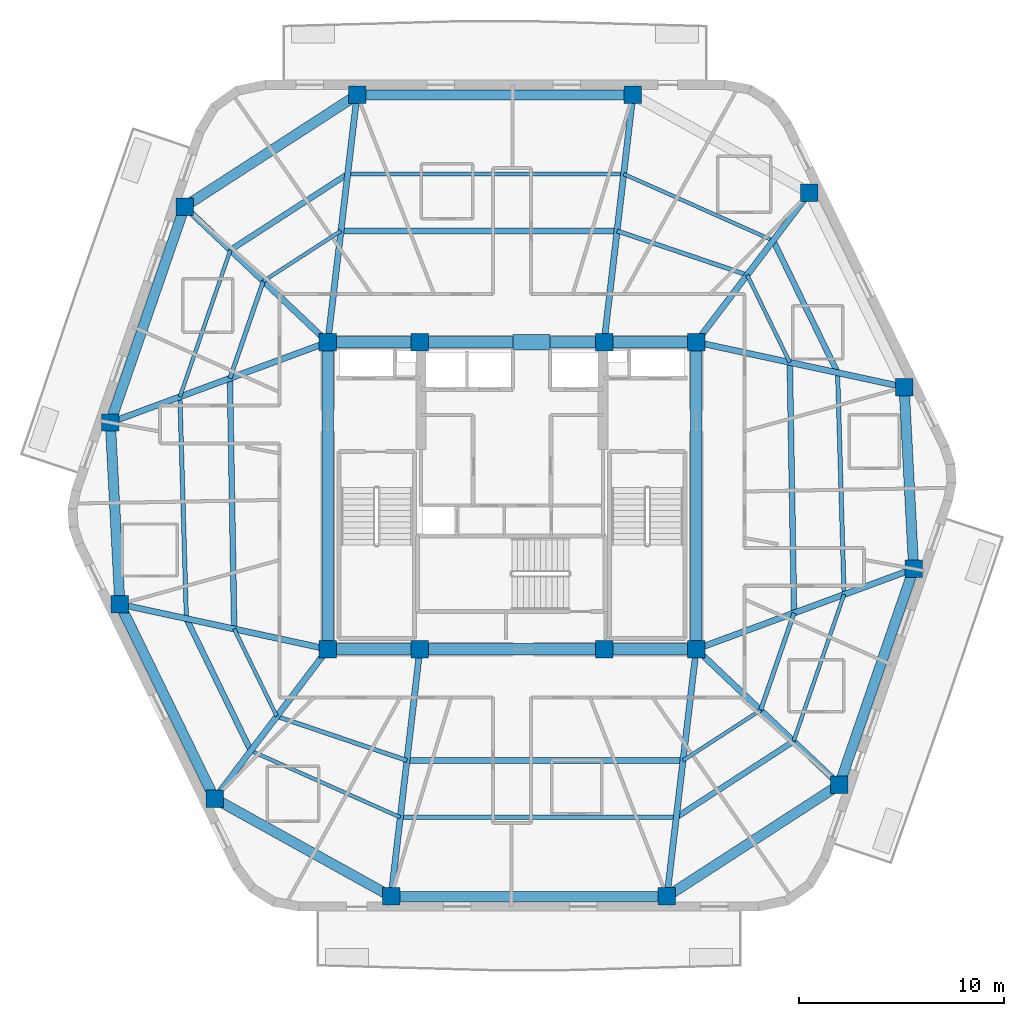
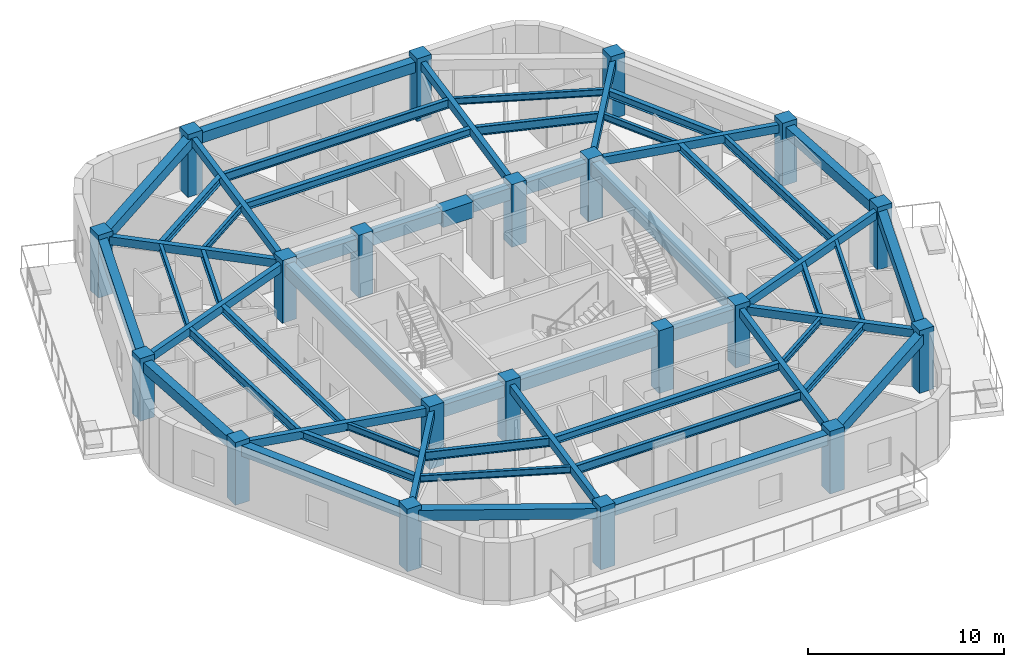
# One storey, part 1 of 9: 55 beams, 20 columns.
"""IFC4 building model written with IfcOpenShell, lengths in metres."""

from ifc_helpers import new_model, si_unit, direction, frame, origin, origin_2d, place, context, subcontext, project, spatial, rectangle, i_section, extrude, material, material_profile, profile_set, type_object, element, save


model = new_model("IFC4")

# Units and contexts
model_context = context("Model", 3, precision=1e-05, world=origin(), true_north=direction((0.0, 1.0)))
body_context = subcontext(model_context, "Body", "Model", "MODEL_VIEW")
ifc_project = project(units=[si_unit("LENGTHUNIT", "METRE"), si_unit("AREAUNIT", "SQUARE_METRE"), si_unit("VOLUMEUNIT", "CUBIC_METRE"), si_unit("PLANEANGLEUNIT", "RADIAN"), si_unit("MASSUNIT", "GRAM", prefix="KILO")], contexts=[model_context])

# Site, building, storey
site_placement = place(None, origin())
site = spatial("IfcSite", under=ifc_project, at=site_placement, CompositionType="ELEMENT")
building_placement = place(site_placement, origin())
building = spatial("IfcBuilding", under=site, at=building_placement, Name="Kilnhurst Terrace Hotel", CompositionType="ELEMENT")
storey_placement = place(building_placement, frame((0.0, 0.0, 269.10009765625)))
storey = spatial("IfcBuildingStorey", under=building, at=storey_placement, Name="L67", CompositionType="ELEMENT", Elevation=269.10009765625)

# Columns
ifc_material_1 = material(Name="Concrete C60/75", Category="concrete")
ifc_material_profile_1 = material_profile(ifc_material_1, rectangle(XDim=0.85009765625, YDim=0.85009765625, at=origin_2d()), Name="RC850X850")
ifc_profile_set_1 = profile_set([ifc_material_profile_1], Name="Concrete C60/75")
column_type = type_object("IfcColumnType", Name="COL-RC-850", PredefinedType="COLUMN", material=ifc_profile_set_1)
for number, where, z_axis, x_axis, name in (
    (1, (-9.0, -7.5, 0.0), (0.0, 0.0, 1.0), (1.0, 0.0, 0.0), "L67 Structural Column CC-SW"),
    (2, (-4.5, -7.5, 0.0), (0.0, 0.0, 1.0), (1.0, 0.0, 0.0), "L67 Structural Column CC-SC1"),
    (3, (4.5, -7.5, 0.0), (0.0, 0.0, 1.0), (1.0, 0.0, 0.0), "L67 Structural Column CC-SC2"),
    (4, (9.0, -7.5, 0.0), (0.0, 0.0, 1.0), (1.0, 0.0, 0.0), "L67 Structural Column CC-SE"),
    (5, (9.0, 7.5, 0.0), (0.0, 0.0, 1.0), (1.0, 0.0, 0.0), "L67 Structural Column CC-NE"),
    (6, (4.5, 7.5, 0.0), (0.0, 0.0, 1.0), (1.0, 0.0, 0.0), "L67 Structural Column CC-NC2"),
    (7, (-4.5, 7.5, 0.0), (0.0, 0.0, 1.0), (1.0, 0.0, 0.0), "L67 Structural Column CC-NC1"),
    (8, (-9.0, 7.5, 0.0), (0.0, 0.0, 1.0), (1.0, 0.0, 0.0), "L67 Structural Column CC-NW"),
    (9, (-5.907958984375, -19.580078125, 0.0), (0.0, 0.0, 1.0), (1.0, 0.0, 0.0), "L67 Structural Column PC-F11"),
    (10, (7.569091796875, -19.580078125, 0.0), (0.0, 0.0, 1.0), (1.0, 0.0, 0.0), "L67 Structural Column PC-F12"),
    (11, (15.9951171875, -14.12109375, 0.0), (0.0, 0.0, 1.0), (1.0, 0.0, 0.0), "L67 Structural Column PC-F21"),
    (12, (19.6240234375, -3.573974609375, 0.0), (0.0, 0.0, 1.0), (1.0, 0.0, 0.0), "L67 Structural Column PC-F22"),
    (13, (19.157958984375, 5.304931640625, 0.0), (0.0, 0.0, 1.0), (1.0, 0.0, 0.0), "L67 Structural Column PC-F31"),
    (14, (14.531005859375, 14.798095703125, 0.0), (0.0, 0.0, 1.0), (1.0, 0.0, 0.0), "L67 Structural Column PC-F32"),
    (15, (5.907958984375, 19.580078125, 0.0), (0.0, 0.0, 1.0), (1.0, 0.0, 0.0), "L67 Structural Column PC-F41"),
    (16, (-7.569091796875, 19.580078125, 0.0), (0.0, 0.0, 1.0), (1.0, 0.0, 0.0), "L67 Structural Column PC-F42"),
    (17, (-15.9951171875, 14.12109375, 0.0), (0.0, 0.0, 1.0), (1.0, 0.0, 0.0), "L67 Structural Column PC-F51"),
    (18, (-19.6240234375, 3.573974609375, 0.0), (0.0, 0.0, 1.0), (1.0, 0.0, 0.0), "L67 Structural Column PC-F52"),
    (19, (-19.157958984375, -5.304931640625, 0.0), (0.0, 0.0, 1.0), (1.0, 0.0, 0.0), "L67 Structural Column PC-F61"),
    (20, (-14.531005859375, -14.798095703125, 0.0), (0.0, 0.0, 1.0), (1.0, 0.0, 0.0), "L67 Structural Column PC-F62"),
):
    element("IfcColumn", number, at=place(storey_placement, frame(where, z_axis=z_axis, x_axis=x_axis)), inside=storey, type_object=column_type, Name=name, PredefinedType="COLUMN", context=body_context, shape_type="SweptSolid", body=[
        extrude(rectangle(XDim=0.85009765625, YDim=0.85009765625, at=origin_2d()), origin(), (0.0, 0.0, 1.0), 3.89990234375),
    ])

# Beams
ifc_material_2 = material(Name="Concrete C50/60", Category="concrete")
ifc_material_profile_2 = material_profile(ifc_material_2, rectangle(XDim=0.300048828125, YDim=0.5, at=origin_2d()), Name="RC300X500")
ifc_profile_set_2 = profile_set([ifc_material_profile_2], Name="Concrete C50/60")
beam_type_1 = type_object("IfcBeamType", Name="BM-RAD-300X500", PredefinedType="BEAM", material=ifc_profile_set_2)
beam_1_placement = place(storey_placement, frame((-4.5, -7.5, 3.349853515625), z_axis=(-0.115768472001, -0.993276225876, 0.0), x_axis=(0.993276225876, -0.115768472001, 0.0)))
element("IfcBeam", 21, at=beam_1_placement, inside=storey, type_object=beam_type_1, Name="L67 Radial Floor Beam 1", PredefinedType="BEAM", context=body_context, shape_type="SweptSolid", body=[
    extrude(rectangle(XDim=0.300048828125, YDim=0.5, at=origin_2d()), origin(), (0.0, 0.0, 1.0), 12.161865234375),
])
beam_2_placement = place(storey_placement, frame((9.0, -7.5, 3.349853515625), z_axis=(-0.117629552811, -0.993057545314, 0.0), x_axis=(0.993057545314, -0.117629552811, 0.0)))
element("IfcBeam", 22, at=beam_2_placement, inside=storey, type_object=beam_type_1, Name="L67 Radial Floor Beam 2", PredefinedType="BEAM", context=body_context, shape_type="SweptSolid", body=[
    extrude(rectangle(XDim=0.300048828125, YDim=0.5, at=origin_2d()), origin(), (0.0, 0.0, 1.0), 12.16455078125),
])
beam_3_placement = place(storey_placement, frame((9.0, -7.5, 3.349853515625), z_axis=(0.726256338973, -0.687423981326, 0.0), x_axis=(0.687423981326, 0.726256338973, 0.0)))
element("IfcBeam", 23, at=beam_3_placement, inside=storey, type_object=beam_type_1, Name="L67 Radial Floor Beam 3", PredefinedType="BEAM", context=body_context, shape_type="SweptSolid", body=[
    extrude(rectangle(XDim=0.300048828125, YDim=0.5, at=origin_2d()), origin(), (0.0, 0.0, 1.0), 9.6318359375),
])
beam_4_placement = place(storey_placement, frame((9.0, -7.5, 3.349853515625), z_axis=(0.938001507479, 0.3466311757, 0.0), x_axis=(-0.3466311757, 0.938001507479, 0.0)))
element("IfcBeam", 24, at=beam_4_placement, inside=storey, type_object=beam_type_1, Name="L67 Radial Floor Beam 4", PredefinedType="BEAM", context=body_context, shape_type="SweptSolid", body=[
    extrude(rectangle(XDim=0.300048828125, YDim=0.5, at=origin_2d()), origin(), (0.0, 0.0, 1.0), 11.326171875),
])
beam_5_placement = place(storey_placement, frame((9.0, 7.5, 3.349853515625), z_axis=(0.977438945995, -0.211218149913, 0.0), x_axis=(0.211218149913, 0.977438945995, 0.0)))
element("IfcBeam", 25, at=beam_5_placement, inside=storey, type_object=beam_type_1, Name="L67 Radial Floor Beam 5", PredefinedType="BEAM", context=body_context, shape_type="SweptSolid", body=[
    extrude(rectangle(XDim=0.300048828125, YDim=0.5, at=origin_2d()), origin(), (0.0, 0.0, 1.0), 10.392333984375),
])
beam_6_placement = place(storey_placement, frame((9.0, 7.5, 3.349853515625), z_axis=(0.604006537698, 0.79697936135, 0.0), x_axis=(-0.79697936135, 0.604006537698, 0.0)))
element("IfcBeam", 26, at=beam_6_placement, inside=storey, type_object=beam_type_1, Name="L67 Radial Floor Beam 6", PredefinedType="BEAM", context=body_context, shape_type="SweptSolid", body=[
    extrude(rectangle(XDim=0.300048828125, YDim=0.5, at=origin_2d()), origin(), (0.0, 0.0, 1.0), 9.1572265625),
])
beam_7_placement = place(storey_placement, frame((4.5, 7.5, 3.349853515625), z_axis=(0.115768472001, 0.993276225876, 0.0), x_axis=(-0.993276225876, 0.115768472001, 0.0)))
element("IfcBeam", 27, at=beam_7_placement, inside=storey, type_object=beam_type_1, Name="L67 Radial Floor Beam 7", PredefinedType="BEAM", context=body_context, shape_type="SweptSolid", body=[
    extrude(rectangle(XDim=0.300048828125, YDim=0.5, at=origin_2d()), origin(), (0.0, 0.0, 1.0), 12.161865234375),
])
beam_8_placement = place(storey_placement, frame((-9.0, 7.5, 3.349853515625), z_axis=(0.117629552811, 0.993057545314, 0.0), x_axis=(-0.993057545314, 0.117629552811, 0.0)))
element("IfcBeam", 28, at=beam_8_placement, inside=storey, type_object=beam_type_1, Name="L67 Radial Floor Beam 8", PredefinedType="BEAM", context=body_context, shape_type="SweptSolid", body=[
    extrude(rectangle(XDim=0.300048828125, YDim=0.5, at=origin_2d()), origin(), (0.0, 0.0, 1.0), 12.16455078125),
])
beam_9_placement = place(storey_placement, frame((-9.0, 7.5, 3.349853515625), z_axis=(-0.726256338973, 0.687423981326, 0.0), x_axis=(-0.687423981326, -0.726256338973, 0.0)))
element("IfcBeam", 29, at=beam_9_placement, inside=storey, type_object=beam_type_1, Name="L67 Radial Floor Beam 9", PredefinedType="BEAM", context=body_context, shape_type="SweptSolid", body=[
    extrude(rectangle(XDim=0.300048828125, YDim=0.5, at=origin_2d()), origin(), (0.0, 0.0, 1.0), 9.6318359375),
])
beam_10_placement = place(storey_placement, frame((-9.0, 7.5, 3.349853515625), z_axis=(-0.938001507479, -0.3466311757, 0.0), x_axis=(0.3466311757, -0.938001507479, 0.0)))
element("IfcBeam", 30, at=beam_10_placement, inside=storey, type_object=beam_type_1, Name="L67 Radial Floor Beam 10", PredefinedType="BEAM", context=body_context, shape_type="SweptSolid", body=[
    extrude(rectangle(XDim=0.300048828125, YDim=0.5, at=origin_2d()), origin(), (0.0, 0.0, 1.0), 11.326171875),
])
beam_11_placement = place(storey_placement, frame((-9.0, -7.5, 3.349853515625), z_axis=(-0.977438945995, 0.211218149913, 0.0), x_axis=(-0.211218149913, -0.977438945995, 0.0)))
element("IfcBeam", 31, at=beam_11_placement, inside=storey, type_object=beam_type_1, Name="L67 Radial Floor Beam 11", PredefinedType="BEAM", context=body_context, shape_type="SweptSolid", body=[
    extrude(rectangle(XDim=0.300048828125, YDim=0.5, at=origin_2d()), origin(), (0.0, 0.0, 1.0), 10.392333984375),
])
beam_12_placement = place(storey_placement, frame((-9.0, -7.5, 3.349853515625), z_axis=(-0.604006537698, -0.79697936135, 0.0), x_axis=(0.79697936135, -0.604006537698, 0.0)))
element("IfcBeam", 32, at=beam_12_placement, inside=storey, type_object=beam_type_1, Name="L67 Radial Floor Beam 12", PredefinedType="BEAM", context=body_context, shape_type="SweptSolid", body=[
    extrude(rectangle(XDim=0.300048828125, YDim=0.5, at=origin_2d()), origin(), (0.0, 0.0, 1.0), 9.1572265625),
])
ifc_material_profile_3 = material_profile(ifc_material_2, rectangle(XDim=0.5, YDim=0.64990234375, at=origin_2d()), Name="RC500X650")
ifc_profile_set_3 = profile_set([ifc_material_profile_3], Name="Concrete C50/60")
beam_type_2 = type_object("IfcBeamType", Name="BM-SPN-500X650", PredefinedType="SPANDREL", material=ifc_profile_set_3)
beam_13_placement = place(storey_placement, frame((-5.907958984375, -19.580078125, 3.27490234375), z_axis=(1.0, 0.0, 0.0), x_axis=(0.0, 1.0, 0.0)))
element("IfcBeam", 33, at=beam_13_placement, inside=storey, type_object=beam_type_2, Name="L67 Perimeter Spandrel Beam 1", PredefinedType="SPANDREL", context=body_context, shape_type="SweptSolid", body=[
    extrude(rectangle(XDim=0.5, YDim=0.64990234375, at=origin_2d()), origin(), (0.0, 0.0, 1.0), 13.47705078125),
])
beam_14_placement = place(storey_placement, frame((7.569091796875, -19.580078125, 3.27490234375), z_axis=(0.839258818809, 0.543732135386, 0.0), x_axis=(-0.543732135386, 0.839258818809, 0.0)))
element("IfcBeam", 34, at=beam_14_placement, inside=storey, type_object=beam_type_2, Name="L67 Perimeter Spandrel Beam 2", PredefinedType="SPANDREL", context=body_context, shape_type="SweptSolid", body=[
    extrude(rectangle(XDim=0.5, YDim=0.64990234375, at=origin_2d()), origin(), (0.0, 0.0, 1.0), 10.039794921875),
])
beam_15_placement = place(storey_placement, frame((15.9951171875, -14.12109375, 3.27490234375), z_axis=(0.325347079026, 0.945594669068, 0.0), x_axis=(-0.945594669068, 0.325347079026, 0.0)))
element("IfcBeam", 35, at=beam_15_placement, inside=storey, type_object=beam_type_2, Name="L67 Perimeter Spandrel Beam 3", PredefinedType="SPANDREL", context=body_context, shape_type="SweptSolid", body=[
    extrude(rectangle(XDim=0.5, YDim=0.64990234375, at=origin_2d()), origin(), (0.0, 0.0, 1.0), 11.154052734375),
])
beam_16_placement = place(storey_placement, frame((19.6240234375, -3.573974609375, 3.27490234375), z_axis=(-0.052419034962, 0.998625177318, 0.0), x_axis=(-0.998625177318, -0.052419034962, 0.0)))
element("IfcBeam", 36, at=beam_16_placement, inside=storey, type_object=beam_type_2, Name="L67 Perimeter Spandrel Beam 4", PredefinedType="SPANDREL", context=body_context, shape_type="SweptSolid", body=[
    extrude(rectangle(XDim=0.5, YDim=0.64990234375, at=origin_2d()), origin(), (0.0, 0.0, 1.0), 8.89111328125),
])
beam_17_placement = place(storey_placement, frame((5.907958984375, 19.580078125, 3.27490234375), z_axis=(-1.0, 0.0, 0.0), x_axis=(0.0, -1.0, 0.0)))
element("IfcBeam", 37, at=beam_17_placement, inside=storey, type_object=beam_type_2, Name="L67 Perimeter Spandrel Beam 7", PredefinedType="SPANDREL", context=body_context, shape_type="SweptSolid", body=[
    extrude(rectangle(XDim=0.5, YDim=0.64990234375, at=origin_2d()), origin(), (0.0, 0.0, 1.0), 13.47705078125),
])
beam_18_placement = place(storey_placement, frame((-7.569091796875, 19.580078125, 3.27490234375), z_axis=(-0.839258818809, -0.543732135386, 0.0), x_axis=(0.543732135386, -0.839258818809, 0.0)))
element("IfcBeam", 38, at=beam_18_placement, inside=storey, type_object=beam_type_2, Name="L67 Perimeter Spandrel Beam 8", PredefinedType="SPANDREL", context=body_context, shape_type="SweptSolid", body=[
    extrude(rectangle(XDim=0.5, YDim=0.64990234375, at=origin_2d()), origin(), (0.0, 0.0, 1.0), 10.039794921875),
])
beam_19_placement = place(storey_placement, frame((-15.9951171875, 14.12109375, 3.27490234375), z_axis=(-0.325347079026, -0.945594669068, 0.0), x_axis=(0.945594669068, -0.325347079026, 0.0)))
element("IfcBeam", 39, at=beam_19_placement, inside=storey, type_object=beam_type_2, Name="L67 Perimeter Spandrel Beam 9", PredefinedType="SPANDREL", context=body_context, shape_type="SweptSolid", body=[
    extrude(rectangle(XDim=0.5, YDim=0.64990234375, at=origin_2d()), origin(), (0.0, 0.0, 1.0), 11.154052734375),
])
beam_20_placement = place(storey_placement, frame((-19.6240234375, 3.573974609375, 3.27490234375), z_axis=(0.052419034962, -0.998625177318, 0.0), x_axis=(0.998625177318, 0.052419034962, 0.0)))
element("IfcBeam", 40, at=beam_20_placement, inside=storey, type_object=beam_type_2, Name="L67 Perimeter Spandrel Beam 10", PredefinedType="SPANDREL", context=body_context, shape_type="SweptSolid", body=[
    extrude(rectangle(XDim=0.5, YDim=0.64990234375, at=origin_2d()), origin(), (0.0, 0.0, 1.0), 8.89111328125),
])
beam_21_placement = place(storey_placement, frame((-19.157958984375, -5.304931640625, 3.27490234375), z_axis=(0.438128464895, -0.898912369616, 0.0), x_axis=(0.898912369616, 0.438128464895, 0.0)))
element("IfcBeam", 41, at=beam_21_placement, inside=storey, type_object=beam_type_2, Name="L67 Perimeter Spandrel Beam 11", PredefinedType="SPANDREL", context=body_context, shape_type="SweptSolid", body=[
    extrude(rectangle(XDim=0.5, YDim=0.64990234375, at=origin_2d()), origin(), (0.0, 0.0, 1.0), 10.560791015625),
])
beam_22_placement = place(storey_placement, frame((-14.531005859375, -14.798095703125, 3.27490234375), z_axis=(0.874527255888, -0.484976369227, 0.0), x_axis=(0.484976369227, 0.874527255888, 0.0)))
element("IfcBeam", 42, at=beam_22_placement, inside=storey, type_object=beam_type_2, Name="L67 Perimeter Spandrel Beam 12", PredefinedType="SPANDREL", context=body_context, shape_type="SweptSolid", body=[
    extrude(rectangle(XDim=0.5, YDim=0.64990234375, at=origin_2d()), origin(), (0.0, 0.0, 1.0), 9.8603515625),
])
ifc_material_profile_4 = material_profile(ifc_material_2, rectangle(XDim=0.550048828125, YDim=0.75, at=origin_2d()), Name="RC550X750")
ifc_profile_set_4 = profile_set([ifc_material_profile_4], Name="Concrete C50/60")
beam_type_3 = type_object("IfcBeamType", Name="BM-SPN-550X750", PredefinedType="SPANDREL", material=ifc_profile_set_4)
beam_23_placement = place(storey_placement, frame((-9.0, 7.5, 3.224853515625), z_axis=(1.0, 0.0, 0.0), x_axis=(0.0, 1.0, 0.0)))
element("IfcBeam", 43, at=beam_23_placement, inside=storey, type_object=beam_type_3, Name="L67 Core Tie Beam CC-NW to CC-NC1", PredefinedType="SPANDREL", context=body_context, shape_type="SweptSolid", body=[
    extrude(rectangle(XDim=0.550048828125, YDim=0.75, at=origin_2d()), origin(), (0.0, 0.0, 1.0), 4.5),
])
beam_24_placement = place(storey_placement, frame((-4.5, 7.5, 3.224853515625), z_axis=(1.0, 0.0, 0.0), x_axis=(0.0, 1.0, 0.0)))
element("IfcBeam", 44, at=beam_24_placement, inside=storey, type_object=beam_type_3, Name="L67 Core Tie Beam CC-NC1 to CC-NC2", PredefinedType="SPANDREL", context=body_context, shape_type="SweptSolid", body=[
    extrude(rectangle(XDim=0.550048828125, YDim=0.75, at=origin_2d()), origin(), (0.0, 0.0, 1.0), 9.0),
])
for number, where, z_axis, x_axis, name in (
    (45, (4.5, 7.5, 3.224853515625), (1.0, 0.0, 0.0), (0.0, 1.0, 0.0), "L67 Core Tie Beam CC-NC2 to CC-NE"),
    (46, (-9.0, -7.5, 3.224853515625), (1.0, 0.0, 0.0), (0.0, 1.0, 0.0), "L67 Core Tie Beam CC-SW to CC-SC1"),
):
    element("IfcBeam", number, at=place(storey_placement, frame(where, z_axis=z_axis, x_axis=x_axis)), inside=storey, type_object=beam_type_3, Name=name, PredefinedType="SPANDREL", context=body_context, shape_type="SweptSolid", body=[
        extrude(rectangle(XDim=0.550048828125, YDim=0.75, at=origin_2d()), origin(), (0.0, 0.0, 1.0), 4.5),
    ])
beam_25_placement = place(storey_placement, frame((-4.5, -7.5, 3.224853515625), z_axis=(1.0, 0.0, 0.0), x_axis=(0.0, 1.0, 0.0)))
element("IfcBeam", 47, at=beam_25_placement, inside=storey, type_object=beam_type_3, Name="L67 Core Tie Beam CC-SC1 to CC-SC2", PredefinedType="SPANDREL", context=body_context, shape_type="SweptSolid", body=[
    extrude(rectangle(XDim=0.550048828125, YDim=0.75, at=origin_2d()), origin(), (0.0, 0.0, 1.0), 9.0),
])
beam_26_placement = place(storey_placement, frame((4.5, -7.5, 3.224853515625), z_axis=(1.0, 0.0, 0.0), x_axis=(0.0, 1.0, 0.0)))
element("IfcBeam", 48, at=beam_26_placement, inside=storey, type_object=beam_type_3, Name="L67 Core Tie Beam CC-SC2 to CC-SE", PredefinedType="SPANDREL", context=body_context, shape_type="SweptSolid", body=[
    extrude(rectangle(XDim=0.550048828125, YDim=0.75, at=origin_2d()), origin(), (0.0, 0.0, 1.0), 4.5),
])
for number, where, z_axis, x_axis, name in (
    (49, (-9.0, -7.5, 3.224853515625), (0.0, 1.0, 0.0), (-1.0, 0.0, 0.0), "L67 Core Tie Beam CC-SW to CC-NW"),
    (50, (9.0, -7.5, 3.224853515625), (0.0, 1.0, 0.0), (-1.0, 0.0, 0.0), "L67 Core Tie Beam CC-SE to CC-NE"),
):
    element("IfcBeam", number, at=place(storey_placement, frame(where, z_axis=z_axis, x_axis=x_axis)), inside=storey, type_object=beam_type_3, Name=name, PredefinedType="SPANDREL", context=body_context, shape_type="SweptSolid", body=[
        extrude(rectangle(XDim=0.550048828125, YDim=0.75, at=origin_2d()), origin(), (0.0, 0.0, 1.0), 15.0),
    ])
ifc_material_3 = material(Name="Steel ASTM A992 Grade 50", Category="steel")
ifc_material_profile_5 = material_profile(ifc_material_3, i_section(OverallWidth=0.180908203125, OverallDepth=0.417236328125, WebThickness=0.010986328125, FlangeThickness=0.018310546875, at=origin_2d()), Name="W16X57")
ifc_profile_set_5 = profile_set([ifc_material_profile_5], Name="Steel ASTM A992 Grade 50")
beam_type_4 = type_object("IfcBeamType", Name="JST-STL-W16X57", PredefinedType="JOIST", material=ifc_profile_set_5)
beam_27_placement = place(storey_placement, frame((13.756591796875, -12.002197265625, 3.390869140625), z_axis=(0.325367628202, 0.945587598543, 0.0), x_axis=(-0.945587598543, 0.325367628202, 0.0)))
element("IfcBeam", 51, at=beam_27_placement, inside=storey, type_object=beam_type_4, Name="L67 Secondary Floor Steel Joist OUT.3", PredefinedType="JOIST", context=body_context, shape_type="SweptSolid", body=[
    extrude(i_section(OverallWidth=0.180908203125, OverallDepth=0.417236328125, WebThickness=0.010986328125, FlangeThickness=0.018310546875, at=origin_2d()), origin(), (0.0, 0.0, 1.0), 7.58447265625),
])
beam_28_placement = place(storey_placement, frame((12.760986328125, 12.462646484375, 3.390869140625), z_axis=(-0.913545640569, 0.406736232216, 0.0), x_axis=(-0.406736232216, -0.913545640569, 0.0)))
element("IfcBeam", 52, at=beam_28_placement, inside=storey, type_object=beam_type_4, Name="L67 Secondary Floor Steel Joist OUT.6", PredefinedType="JOIST", context=body_context, shape_type="SweptSolid", body=[
    extrude(i_section(OverallWidth=0.180908203125, OverallDepth=0.417236328125, WebThickness=0.010986328125, FlangeThickness=0.018310546875, at=origin_2d()), origin(), (0.0, 0.0, 1.0), 7.99462890625),
])
beam_29_placement = place(storey_placement, frame((-13.756591796875, 12.002197265625, 3.390869140625), z_axis=(-0.325367628202, -0.945587598543, 0.0), x_axis=(0.945587598543, -0.325367628202, 0.0)))
element("IfcBeam", 53, at=beam_29_placement, inside=storey, type_object=beam_type_4, Name="L67 Secondary Floor Steel Joist OUT.9", PredefinedType="JOIST", context=body_context, shape_type="SweptSolid", body=[
    extrude(i_section(OverallWidth=0.180908203125, OverallDepth=0.417236328125, WebThickness=0.010986328125, FlangeThickness=0.018310546875, at=origin_2d()), origin(), (0.0, 0.0, 1.0), 7.58447265625),
])
beam_30_placement = place(storey_placement, frame((-12.760986328125, -12.462646484375, 3.390869140625), z_axis=(0.913545640569, -0.406736232216, 0.0), x_axis=(0.406736232216, 0.913545640569, 0.0)))
element("IfcBeam", 54, at=beam_30_placement, inside=storey, type_object=beam_type_4, Name="L67 Secondary Floor Steel Joist OUT.12", PredefinedType="JOIST", context=body_context, shape_type="SweptSolid", body=[
    extrude(i_section(OverallWidth=0.180908203125, OverallDepth=0.417236328125, WebThickness=0.010986328125, FlangeThickness=0.018310546875, at=origin_2d()), origin(), (0.0, 0.0, 1.0), 7.99462890625),
])
beam_31_placement = place(storey_placement, frame((8.35595703125, -12.93603515625, 3.390869140625), z_axis=(0.839261215199, 0.543728436503, 0.0), x_axis=(-0.543728436503, 0.839261215199, 0.0)))
element("IfcBeam", 55, at=beam_31_placement, inside=storey, type_object=beam_type_4, Name="L67 Secondary Floor Steel Joist IN.2", PredefinedType="JOIST", context=body_context, shape_type="SweptSolid", body=[
    extrude(i_section(OverallWidth=0.180908203125, OverallDepth=0.417236328125, WebThickness=0.010986328125, FlangeThickness=0.018310546875, at=origin_2d()), origin(), (0.0, 0.0, 1.0), 4.51806640625),
])
beam_32_placement = place(storey_placement, frame((13.571044921875, 6.51220703125, 3.390869140625), z_axis=(-0.438107813647, 0.898922434708, 0.0), x_axis=(-0.898922434708, -0.438107813647, 0.0)))
element("IfcBeam", 56, at=beam_32_placement, inside=storey, type_object=beam_type_4, Name="L67 Secondary Floor Steel Joist IN.5", PredefinedType="JOIST", context=body_context, shape_type="SweptSolid", body=[
    extrude(i_section(OverallWidth=0.180908203125, OverallDepth=0.417236328125, WebThickness=0.010986328125, FlangeThickness=0.018310546875, at=origin_2d()), origin(), (0.0, 0.0, 1.0), 4.75244140625),
])
beam_33_placement = place(storey_placement, frame((-8.35595703125, 12.93603515625, 3.390869140625), z_axis=(-0.839261215199, -0.543728436503, 0.0), x_axis=(0.543728436503, -0.839261215199, 0.0)))
element("IfcBeam", 57, at=beam_33_placement, inside=storey, type_object=beam_type_4, Name="L67 Secondary Floor Steel Joist IN.8", PredefinedType="JOIST", context=body_context, shape_type="SweptSolid", body=[
    extrude(i_section(OverallWidth=0.180908203125, OverallDepth=0.417236328125, WebThickness=0.010986328125, FlangeThickness=0.018310546875, at=origin_2d()), origin(), (0.0, 0.0, 1.0), 4.51806640625),
])
beam_34_placement = place(storey_placement, frame((-13.571044921875, -6.51220703125, 3.390869140625), z_axis=(0.438107813647, -0.898922434708, 0.0), x_axis=(0.898922434708, 0.438107813647, 0.0)))
element("IfcBeam", 58, at=beam_34_placement, inside=storey, type_object=beam_type_4, Name="L67 Secondary Floor Steel Joist IN.11", PredefinedType="JOIST", context=body_context, shape_type="SweptSolid", body=[
    extrude(i_section(OverallWidth=0.180908203125, OverallDepth=0.417236328125, WebThickness=0.010986328125, FlangeThickness=0.018310546875, at=origin_2d()), origin(), (0.0, 0.0, 1.0), 4.75244140625),
])
ifc_material_profile_6 = material_profile(ifc_material_3, i_section(OverallWidth=0.279296875, OverallDepth=0.462890625, WebThickness=0.0107421875, FlangeThickness=0.017333984375, at=origin_2d()), Name="W18X76")
ifc_profile_set_6 = profile_set([ifc_material_profile_6], Name="Steel ASTM A992 Grade 50")
beam_type_5 = type_object("IfcBeamType", Name="JST-STL-W18X76", PredefinedType="JOIST", material=ifc_profile_set_6)
beam_35_placement = place(storey_placement, frame((8.02685546875, -15.71435546875, 3.367919921875), z_axis=(0.839257246669, 0.543734562001, 0.0), x_axis=(-0.543734562001, 0.839257246669, 0.0)))
element("IfcBeam", 59, at=beam_35_placement, inside=storey, type_object=beam_type_5, Name="L67 Secondary Floor Steel Joist OUT.2", PredefinedType="JOIST", context=body_context, shape_type="SweptSolid", body=[
    extrude(i_section(OverallWidth=0.279296875, OverallDepth=0.462890625, WebThickness=0.0107421875, FlangeThickness=0.017333984375, at=origin_2d()), origin(), (0.0, 0.0, 1.0), 6.8271484375),
])
beam_36_placement = place(storey_placement, frame((15.907470703125, 6.00732421875, 3.367919921875), z_axis=(-0.438147652742, 0.898903017237, 0.0), x_axis=(-0.898903017237, -0.438147652742, 0.0)))
element("IfcBeam", 60, at=beam_36_placement, inside=storey, type_object=beam_type_5, Name="L67 Secondary Floor Steel Joist OUT.5", PredefinedType="JOIST", context=body_context, shape_type="SweptSolid", body=[
    extrude(i_section(OverallWidth=0.279296875, OverallDepth=0.462890625, WebThickness=0.0107421875, FlangeThickness=0.017333984375, at=origin_2d()), origin(), (0.0, 0.0, 1.0), 7.181396484375),
])
beam_37_placement = place(storey_placement, frame((-8.02685546875, 15.71435546875, 3.367919921875), z_axis=(-0.839257246669, -0.543734562001, 0.0), x_axis=(0.543734562001, -0.839257246669, 0.0)))
element("IfcBeam", 61, at=beam_37_placement, inside=storey, type_object=beam_type_5, Name="L67 Secondary Floor Steel Joist OUT.8", PredefinedType="JOIST", context=body_context, shape_type="SweptSolid", body=[
    extrude(i_section(OverallWidth=0.279296875, OverallDepth=0.462890625, WebThickness=0.0107421875, FlangeThickness=0.017333984375, at=origin_2d()), origin(), (0.0, 0.0, 1.0), 6.8271484375),
])
beam_38_placement = place(storey_placement, frame((-15.907470703125, -6.00732421875, 3.367919921875), z_axis=(0.438147652742, -0.898903017237, 0.0), x_axis=(0.898903017237, 0.438147652742, 0.0)))
element("IfcBeam", 62, at=beam_38_placement, inside=storey, type_object=beam_type_5, Name="L67 Secondary Floor Steel Joist OUT.11", PredefinedType="JOIST", context=body_context, shape_type="SweptSolid", body=[
    extrude(i_section(OverallWidth=0.279296875, OverallDepth=0.462890625, WebThickness=0.0107421875, FlangeThickness=0.017333984375, at=origin_2d()), origin(), (0.0, 0.0, 1.0), 7.181396484375),
])
beam_39_placement = place(storey_placement, frame((-5.133544921875, -12.93603515625, 3.367919921875), z_axis=(1.0, 0.0, 0.0), x_axis=(0.0, 1.0, 0.0)))
element("IfcBeam", 63, at=beam_39_placement, inside=storey, type_object=beam_type_5, Name="L67 Secondary Floor Steel Joist IN.1", PredefinedType="JOIST", context=body_context, shape_type="SweptSolid", body=[
    extrude(i_section(OverallWidth=0.279296875, OverallDepth=0.462890625, WebThickness=0.0107421875, FlangeThickness=0.017333984375, at=origin_2d()), origin(), (0.0, 0.0, 1.0), 13.489501953125),
])
beam_40_placement = place(storey_placement, frame((13.78076171875, -5.7333984375, 3.367919921875), z_axis=(-0.01712337129, 0.99985338433, 0.0), x_axis=(-0.99985338433, -0.01712337129, 0.0)))
element("IfcBeam", 64, at=beam_40_placement, inside=storey, type_object=beam_type_5, Name="L67 Secondary Floor Steel Joist IN.4", PredefinedType="JOIST", context=body_context, shape_type="SweptSolid", body=[
    extrude(i_section(OverallWidth=0.279296875, OverallDepth=0.462890625, WebThickness=0.0107421875, FlangeThickness=0.017333984375, at=origin_2d()), origin(), (0.0, 0.0, 1.0), 12.247314453125),
])
beam_41_placement = place(storey_placement, frame((5.133544921875, 12.93603515625, 3.367919921875), z_axis=(-1.0, 0.0, 0.0), x_axis=(0.0, -1.0, 0.0)))
element("IfcBeam", 65, at=beam_41_placement, inside=storey, type_object=beam_type_5, Name="L67 Secondary Floor Steel Joist IN.7", PredefinedType="JOIST", context=body_context, shape_type="SweptSolid", body=[
    extrude(i_section(OverallWidth=0.279296875, OverallDepth=0.462890625, WebThickness=0.0107421875, FlangeThickness=0.017333984375, at=origin_2d()), origin(), (0.0, 0.0, 1.0), 13.489501953125),
])
beam_42_placement = place(storey_placement, frame((-13.78076171875, 5.7333984375, 3.367919921875), z_axis=(0.01712337129, -0.99985338433, 0.0), x_axis=(0.99985338433, 0.01712337129, 0.0)))
element("IfcBeam", 66, at=beam_42_placement, inside=storey, type_object=beam_type_5, Name="L67 Secondary Floor Steel Joist IN.10", PredefinedType="JOIST", context=body_context, shape_type="SweptSolid", body=[
    extrude(i_section(OverallWidth=0.279296875, OverallDepth=0.462890625, WebThickness=0.0107421875, FlangeThickness=0.017333984375, at=origin_2d()), origin(), (0.0, 0.0, 1.0), 12.247314453125),
])
ifc_material_profile_7 = material_profile(ifc_material_3, i_section(OverallWidth=0.2138671875, OverallDepth=0.549072265625, WebThickness=0.0146484375, FlangeThickness=0.023681640625, at=origin_2d()), Name="W21X93")
ifc_profile_set_7 = profile_set([ifc_material_profile_7], Name="Steel ASTM A992 Grade 50")
beam_type_6 = type_object("IfcBeamType", Name="JST-STL-W21X93", PredefinedType="JOIST", material=ifc_profile_set_7)
beam_43_placement = place(storey_placement, frame((-5.45751953125, -15.71435546875, 3.324951171875), z_axis=(1.0, 0.0, 0.0), x_axis=(0.0, 1.0, 0.0)))
element("IfcBeam", 67, at=beam_43_placement, inside=storey, type_object=beam_type_6, Name="L67 Secondary Floor Steel Joist OUT.1", PredefinedType="JOIST", context=body_context, shape_type="SweptSolid", body=[
    extrude(i_section(OverallWidth=0.2138671875, OverallDepth=0.549072265625, WebThickness=0.0146484375, FlangeThickness=0.023681640625, at=origin_2d()), origin(), (0.0, 0.0, 1.0), 13.484375),
])
beam_44_placement = place(storey_placement, frame((16.224365234375, -4.830322265625, 3.324951171875), z_axis=(-0.029227669324, 0.999572780415, 0.0), x_axis=(-0.999572780415, -0.029227669324, 0.0)))
element("IfcBeam", 68, at=beam_44_placement, inside=storey, type_object=beam_type_6, Name="L67 Secondary Floor Steel Joist OUT.4", PredefinedType="JOIST", context=body_context, shape_type="SweptSolid", body=[
    extrude(i_section(OverallWidth=0.2138671875, OverallDepth=0.549072265625, WebThickness=0.0146484375, FlangeThickness=0.023681640625, at=origin_2d()), origin(), (0.0, 0.0, 1.0), 10.84228515625),
])
beam_45_placement = place(storey_placement, frame((5.45751953125, 15.71435546875, 3.324951171875), z_axis=(-1.0, 0.0, 0.0), x_axis=(0.0, -1.0, 0.0)))
element("IfcBeam", 69, at=beam_45_placement, inside=storey, type_object=beam_type_6, Name="L67 Secondary Floor Steel Joist OUT.7", PredefinedType="JOIST", context=body_context, shape_type="SweptSolid", body=[
    extrude(i_section(OverallWidth=0.2138671875, OverallDepth=0.549072265625, WebThickness=0.0146484375, FlangeThickness=0.023681640625, at=origin_2d()), origin(), (0.0, 0.0, 1.0), 13.484375),
])
beam_46_placement = place(storey_placement, frame((-16.224365234375, 4.830322265625, 3.324951171875), z_axis=(0.029227669324, -0.999572780415, 0.0), x_axis=(0.999572780415, 0.029227669324, 0.0)))
element("IfcBeam", 70, at=beam_46_placement, inside=storey, type_object=beam_type_6, Name="L67 Secondary Floor Steel Joist OUT.10", PredefinedType="JOIST", context=body_context, shape_type="SweptSolid", body=[
    extrude(i_section(OverallWidth=0.2138671875, OverallDepth=0.549072265625, WebThickness=0.0146484375, FlangeThickness=0.023681640625, at=origin_2d()), origin(), (0.0, 0.0, 1.0), 10.84228515625),
])
beam_47_placement = place(storey_placement, frame((12.147705078125, -10.4794921875, 3.324951171875), z_axis=(0.325362511486, 0.94558935914, 0.0), x_axis=(-0.94558935914, 0.325362511486, 0.0)))
element("IfcBeam", 71, at=beam_47_placement, inside=storey, type_object=beam_type_6, Name="L67 Secondary Floor Steel Joist IN.3", PredefinedType="JOIST", context=body_context, shape_type="SweptSolid", body=[
    extrude(i_section(OverallWidth=0.2138671875, OverallDepth=0.549072265625, WebThickness=0.0146484375, FlangeThickness=0.023681640625, at=origin_2d()), origin(), (0.0, 0.0, 1.0), 5.019287109375),
])
beam_48_placement = place(storey_placement, frame((11.489013671875, 10.7841796875, 3.324951171875), z_axis=(-0.947180946302, 0.320699633555, 0.0), x_axis=(-0.320699633555, -0.947180946302, 0.0)))
element("IfcBeam", 72, at=beam_48_placement, inside=storey, type_object=beam_type_6, Name="L67 Secondary Floor Steel Joist IN.6", PredefinedType="JOIST", context=body_context, shape_type="SweptSolid", body=[
    extrude(i_section(OverallWidth=0.2138671875, OverallDepth=0.549072265625, WebThickness=0.0146484375, FlangeThickness=0.023681640625, at=origin_2d()), origin(), (0.0, 0.0, 1.0), 6.7099609375),
])
beam_49_placement = place(storey_placement, frame((-12.147705078125, 10.4794921875, 3.324951171875), z_axis=(-0.325362511486, -0.94558935914, 0.0), x_axis=(0.94558935914, -0.325362511486, 0.0)))
element("IfcBeam", 73, at=beam_49_placement, inside=storey, type_object=beam_type_6, Name="L67 Secondary Floor Steel Joist IN.9", PredefinedType="JOIST", context=body_context, shape_type="SweptSolid", body=[
    extrude(i_section(OverallWidth=0.2138671875, OverallDepth=0.549072265625, WebThickness=0.0146484375, FlangeThickness=0.023681640625, at=origin_2d()), origin(), (0.0, 0.0, 1.0), 5.019287109375),
])
beam_50_placement = place(storey_placement, frame((-11.489013671875, -10.7841796875, 3.324951171875), z_axis=(0.947180946302, -0.320699633555, 0.0), x_axis=(0.320699633555, 0.947180946302, 0.0)))
element("IfcBeam", 74, at=beam_50_placement, inside=storey, type_object=beam_type_6, Name="L67 Secondary Floor Steel Joist IN.12", PredefinedType="JOIST", context=body_context, shape_type="SweptSolid", body=[
    extrude(i_section(OverallWidth=0.2138671875, OverallDepth=0.549072265625, WebThickness=0.0146484375, FlangeThickness=0.023681640625, at=origin_2d()), origin(), (0.0, 0.0, 1.0), 6.7099609375),
])
ifc_material_profile_8 = material_profile(ifc_material_1, rectangle(XDim=0.75, YDim=1.0, at=origin_2d()), Name="RC750X1000")
ifc_profile_set_8 = profile_set([ifc_material_profile_8], Name="Concrete C60/75")
beam_type_7 = type_object("IfcBeamType", Name="LNT-CB-750X1000", PredefinedType="LINTEL", material=ifc_profile_set_8)
beam_51_placement = place(storey_placement, frame((0.050048828125, 7.5, 3.099853515625), z_axis=(1.0, 0.0, 0.0), x_axis=(0.0, 1.0, 0.0)))
element("IfcBeam", 75, at=beam_51_placement, inside=storey, type_object=beam_type_7, Name="L67 North Core Coupling Link Beam", PredefinedType="LINTEL", context=body_context, shape_type="SweptSolid", body=[
    extrude(rectangle(XDim=0.75, YDim=1.0, at=origin_2d()), origin(), (0.0, 0.0, 1.0), 1.800048828125),
])

save(model, "model.ifc")
